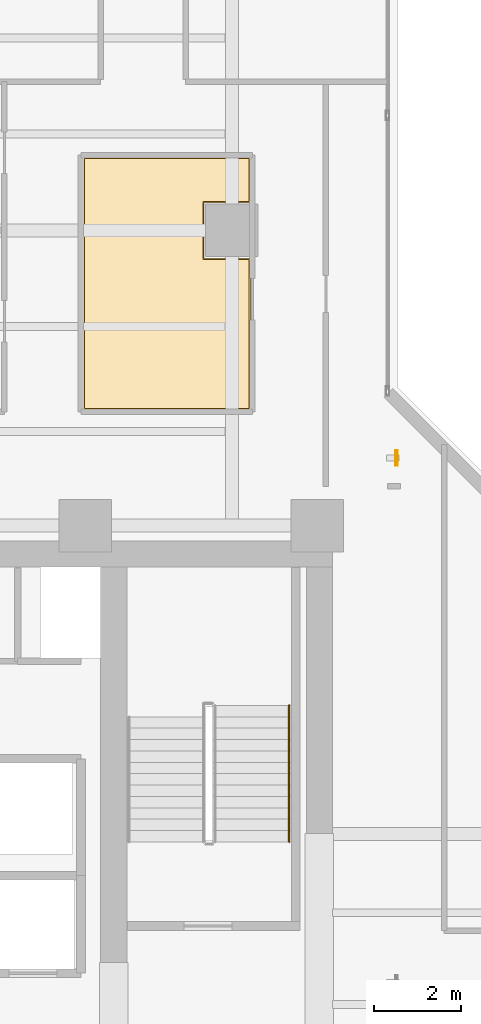
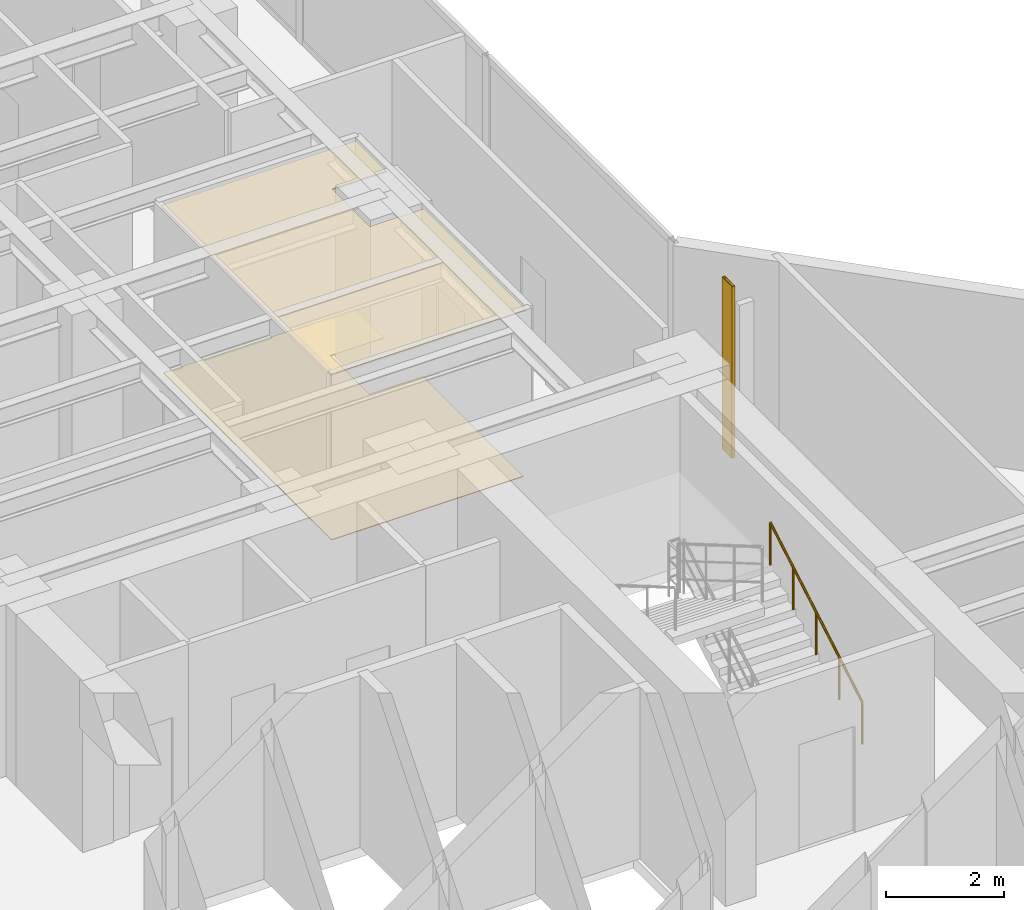
# One storey, part 25 of 27: 2 coverings, 1 railing, 1 shading device.
"""IFC4 building model written with IfcOpenShell, lengths in metres."""

from ifc_helpers import new_model, si_unit, direction, frame, origin, origin_2d, place, context, subcontext, project, spatial, polyline, hollow_rectangle, circle, outline, extrude, material, layer, layer_set, material_profile, profile_set, type_object, element, save


model = new_model("IFC4")

# Units and contexts
model_context = context("Model", 3, precision=1e-05, world=origin(), true_north=direction((0.0, 1.0)))
body_context = subcontext(model_context, "Body", "Model", "MODEL_VIEW")
ifc_project = project(units=[si_unit("LENGTHUNIT", "METRE"), si_unit("AREAUNIT", "SQUARE_METRE"), si_unit("VOLUMEUNIT", "CUBIC_METRE"), si_unit("PLANEANGLEUNIT", "RADIAN"), si_unit("MASSUNIT", "GRAM", prefix="KILO")], contexts=[model_context])

# Site, building, storey
site_placement = place(None, origin())
site = spatial("IfcSite", under=ifc_project, at=site_placement, CompositionType="ELEMENT")
building_placement = place(site_placement, origin())
building = spatial("IfcBuilding", under=site, at=building_placement, Name="Kolvaren Waterfront Exchange", CompositionType="ELEMENT")
storey_placement = place(building_placement, frame((0.0, 0.0, 161.39990234375)))
storey = spatial("IfcBuildingStorey", under=building, at=storey_placement, Name="L41", CompositionType="ELEMENT", Elevation=161.39990234375)

# Covering
ifc_material_1 = material(Name="Mineral fibre acoustic ceiling tile")
ifc_layer_1 = layer(ifc_material_1, 0.02490234375, Name="Mineral fibre acoustic ceiling tile")
ifc_layer_set_1 = layer_set([ifc_layer_1], Name="Mineral fibre acoustic ceiling tile")
covering_type_1 = type_object("IfcCoveringType", Name="ARC-CEIL-ACOUSTIC-25", PredefinedType="CEILING", material=ifc_layer_set_1)
covering_1_placement = place(storey_placement, frame((0.0, 0.0, 3.445068359375)))
element("IfcCovering", 1, at=covering_1_placement, inside=storey, type_object=covering_type_1, Name="L41 acoustic suspended ceiling 1", PredefinedType="CEILING", context=body_context, shape_type="SweptSolid", body=[
    extrude(outline(polyline([(19.22509765625, 30.56005859375), (18.159912109375, 30.56005859375), (18.159912109375, 31.840087890625), (19.22509765625, 31.840087890625), (19.22509765625, 32.875), (15.39501953125, 32.875), (15.39501953125, 27.094970703125), (19.22509765625, 27.094970703125), (19.22509765625, 30.56005859375)])), origin(), (0.0, 0.0, 1.0), 0.025146484375),
])

# Shading device
ifc_material_2 = material(Name="Anodised bronze aluminium 6063-T6", Category="aluminium")
ifc_material_profile = material_profile(ifc_material_2, hollow_rectangle(XDim=0.06005859375, YDim=0.35009765625, WallThickness=0.0048828125, at=origin_2d()), Name="BRZ-FIN-350x60x5")
ifc_profile_set = profile_set([ifc_material_profile], Name="Anodised bronze aluminium 6063-T6")
shading_device_type = type_object("IfcShadingDeviceType", Name="ARC-FIN-350", PredefinedType="USERDEFINED", material=ifc_profile_set)
shading_device_placement = place(storey_placement, frame((22.56005859375, 26.0, 0.0), z_axis=(0.0, 0.0, 1.0), x_axis=(1.0, 0.0, 0.0)))
element("IfcShadingDevice", 2, at=shading_device_placement, inside=storey, type_object=shading_device_type, Name="L41 anodised bronze solar shading fin FIN-L41-E2", ObjectType="SOLAR FIN", PredefinedType="USERDEFINED", context=body_context, shape_type="SweptSolid", body=[
    extrude(hollow_rectangle(XDim=0.06005859375, YDim=0.35009765625, WallThickness=0.0048828125, at=origin_2d()), origin(), (0.0, 0.0, 1.0), 3.56005859375),
])

# Covering
ifc_material_3 = material(Name="Slip-resistant porcelain tile")
ifc_layer_2 = layer(ifc_material_3, 0.014892578125, Name="Slip-resistant porcelain tile")
ifc_layer_set_2 = layer_set([ifc_layer_2], Name="Slip-resistant porcelain tile")
covering_type_2 = type_object("IfcCoveringType", Name="ARC-FLR-PORC-15", PredefinedType="FLOORING", material=ifc_layer_set_2)
covering_2_placement = place(storey_placement, origin())
element("IfcCovering", 3, at=covering_2_placement, inside=storey, type_object=covering_type_2, Name="L41 floor finish 1", PredefinedType="FLOORING", context=body_context, shape_type="SweptSolid", body=[
    extrude(outline(polyline([(15.429931640625, 32.840087890625), (15.429931640625, 27.1298828125), (19.18994140625, 27.1298828125), (19.18994140625, 30.5400390625), (18.139892578125, 30.5400390625), (18.139892578125, 31.860107421875), (19.18994140625, 31.860107421875), (19.18994140625, 32.840087890625), (15.429931640625, 32.840087890625)])), origin(), (0.0, 0.0, 1.0), 0.01513671875),
])

# Railing
ifc_material_4 = material(Name="Stainless steel 316", Category="steel")
railing_type = type_object("IfcRailingType", Name="ARC-HANDRAIL-900", PredefinedType="HANDRAIL", material=ifc_material_4)
railing_placement = place(storey_placement, frame((20.110107421875, 17.219970703125, 0.152099609375)))
element("IfcRailing", 4, at=railing_placement, inside=storey, type_object=railing_type, Name="L41 ST2 stair handrail 1", PredefinedType="HANDRAIL", context=body_context, shape_type="SweptSolid", body=[
    extrude(circle(Radius=0.02392578125, at=origin_2d()), frame((0.0, 0.0, 0.8759765625), z_axis=(0.0, 0.86330811405, 0.504677223793), x_axis=(-1.0, 0.0, 0.0)), (0.0, 0.0, 1.0), 3.6142578125),
    extrude(circle(Radius=0.02099609375, at=origin_2d()), origin(), (0.0, 0.0, 1.0), 0.851806640625),
    extrude(circle(Radius=0.02099609375, at=origin_2d()), frame((0.0, 0.780029296875, 0.4560546875)), (0.0, 0.0, 1.0), 0.851806640625),
    extrude(circle(Radius=0.02099609375, at=origin_2d()), frame((0.0, 1.56005859375, 0.912109375)), (0.0, 0.0, 1.0), 0.851806640625),
    extrude(circle(Radius=0.02099609375, at=origin_2d()), frame((0.0, 2.340087890625, 1.367919921875)), (0.0, 0.0, 1.0), 0.851806640625),
    extrude(circle(Radius=0.02099609375, at=origin_2d()), frame((0.0, 3.1201171875, 1.823974609375)), (0.0, 0.0, 1.0), 0.851806640625),
])

save(model, "model.ifc")
